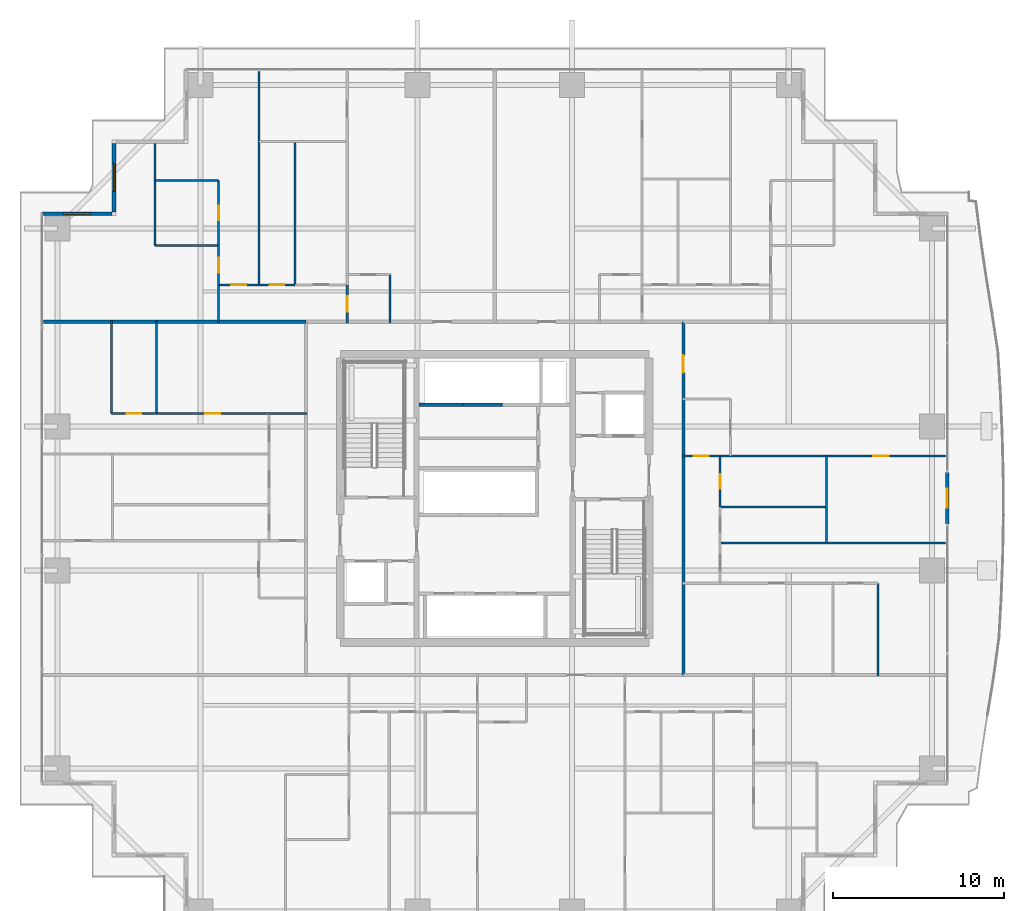
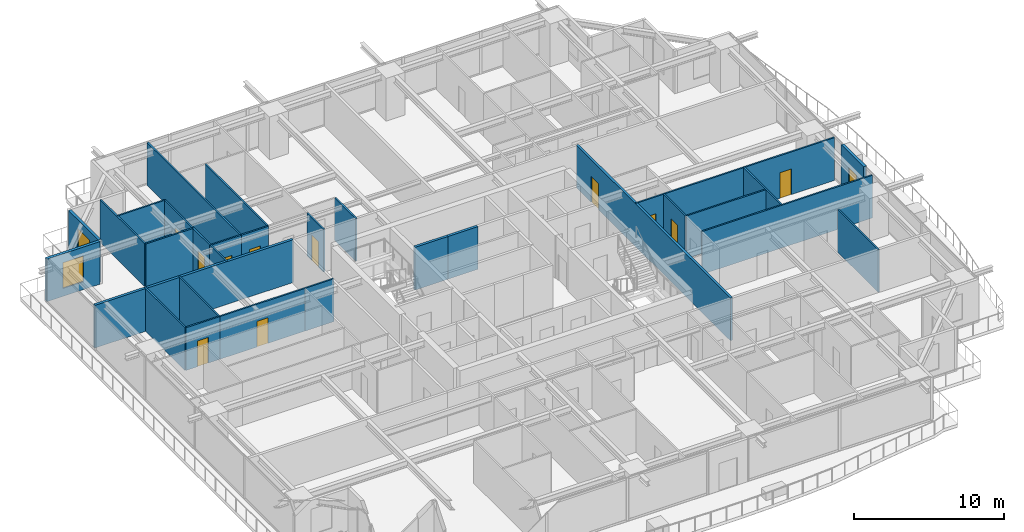
# One storey, part 30 of 39: 32 walls, 12 doors, 2 windows, 14 openings.
"""IFC4 building model written with IfcOpenShell, lengths in metres."""

from ifc_helpers import new_model, si_unit, direction, frame, frame_2d, origin, place, context, subcontext, project, spatial, rectangle, extrude, source, transform, mapped, material, layer, layer_set, type_object, element, fill, save


model = new_model("IFC4")

# Units and contexts
model_context = context("Model", 3, precision=1e-05, world=origin(), true_north=direction((0.0, 1.0)))
body_context = subcontext(model_context, "Body", "Model", "MODEL_VIEW")
ifc_project = project(units=[si_unit("LENGTHUNIT", "METRE"), si_unit("AREAUNIT", "SQUARE_METRE"), si_unit("VOLUMEUNIT", "CUBIC_METRE"), si_unit("PLANEANGLEUNIT", "RADIAN"), si_unit("MASSUNIT", "GRAM", prefix="KILO")], contexts=[model_context])

# Site, building, storey
site_placement = place(None, origin())
site = spatial("IfcSite", under=ifc_project, at=site_placement, CompositionType="ELEMENT")
building_placement = place(site_placement, origin())
building = spatial("IfcBuilding", under=site, at=building_placement, Name="Serunith Strait Residences", CompositionType="ELEMENT")
storey_placement = place(building_placement, frame((0.0, 0.0, 94.199951171875)))
storey = spatial("IfcBuildingStorey", under=building, at=storey_placement, Name="L23", CompositionType="ELEMENT", Elevation=94.199951171875)

# Wall, opening, door
ifc_material_1 = material(Name="Pale-Champagne Aluminium Insulated Panel", Category="aluminium")
ifc_layer_1 = layer(ifc_material_1, 0.219970703125, Name="Pale-Champagne Aluminium Insulated Panel")
ifc_layer_set_1 = layer_set([ifc_layer_1], Name="Pale-Champagne Aluminium Insulated Panel")
wall_type_1 = type_object("IfcWallType", Name="EW-ALUM-220", PredefinedType="ELEMENTEDWALL", material=ifc_layer_set_1)
wall_1_placement = place(storey_placement, frame((58.800048828125, 23.699951171875, 0.0), z_axis=(0.0, 0.0, 1.0), x_axis=(0.0, 1.0, 0.0)))
wall_1 = element("IfcWall", 1, at=wall_1_placement, inside=storey, type_object=wall_type_1, Name="L23 E Facade Pier Wall", PredefinedType="ELEMENTEDWALL", context=body_context, shape_type="SweptSolid", body=[
    extrude(rectangle(XDim=3.0, YDim=0.219970703125, at=frame_2d((1.5, 0.0))), origin(), (0.0, 0.0, 1.0), 3.47509765625),
])
opening_1_placement = place(wall_1_placement, frame((0.949951171875, 0.0, 0.0)))
opening_1 = element("IfcOpeningElement", 2, at=opening_1_placement, cuts=wall_1, Name="Opening ED-03", PredefinedType="OPENING", context=body_context, shape_type="SweptSolid", body=[
    extrude(rectangle(XDim=1.10009765625, YDim=2.199951171875, at=frame_2d((0.550048828125, 1.10009765625))), frame((0.0, 0.1201171875, 0.0), z_axis=(0.0, -1.0, 0.0), x_axis=(1.0, 0.0, 0.0)), (0.0, 0.0, 1.0), 0.239990234375),
])
ifc_material_2 = material(Name="Thermally-Broken Aluminium Glazed Balcony Door", Category="aluminium")
door_type_1 = type_object("IfcDoorType", Name="ED-BALC-1100", OperationType="NOTDEFINED", PredefinedType="DOOR", material=ifc_material_2)
shared_shape_1 = source(origin(), body_context, "Body", "SweptSolid", [
    extrude(rectangle(XDim=1.10009765625, YDim=2.199951171875, at=frame_2d((0.550048828125, 1.10009765625))), frame((0.0, 0.02490234375, 0.0), z_axis=(0.0, -1.0, 0.0), x_axis=(1.0, 0.0, 0.0)), (0.0, 0.0, 1.0), 0.050048828125),
])
door_1_placement = place(opening_1_placement, origin())
door_1 = element("IfcDoor", 3, at=door_1_placement, inside=storey, type_object=door_type_1, Name="L23 E Vertical-Forest Balcony Door", OperationType="SINGLE_SWING_RIGHT", OverallHeight=2.199951171875, OverallWidth=1.10009765625, PredefinedType="DOOR", context=body_context, shape_type="MappedRepresentation", body=[
    mapped(shared_shape_1, transform((0.0, 0.0, 0.0), scale=1.0)),
])
fill(opening_1, door_1)

# Wall, opening, window
wall_2_placement = place(storey_placement, frame((10.199951171875, 45.889892578125, 0.0), z_axis=(0.0, 0.0, 1.0), x_axis=(0.0, -1.0, 0.0)))
wall_2 = element("IfcWall", 4, at=wall_2_placement, inside=storey, type_object=wall_type_1, Name="L23 Girih Serrated Corner Wall 14", PredefinedType="ELEMENTEDWALL", context=body_context, shape_type="SweptSolid", body=[
    extrude(rectangle(XDim=3.97998046875, YDim=0.219970703125, at=frame_2d((1.989990234375, 0.0))), origin(), (0.0, 0.0, 1.0), 3.47509765625),
])
opening_2_placement = place(wall_2_placement, frame((1.18994140625, 0.0, 0.64990234375)))
opening_2 = element("IfcOpeningElement", 5, at=opening_2_placement, cuts=wall_2, Name="Opening W-02", PredefinedType="OPENING", context=body_context, shape_type="SweptSolid", body=[
    extrude(rectangle(XDim=1.60009765625, YDim=2.10009765625, at=frame_2d((0.800048828125, 1.050048828125))), frame((0.0, 0.1201171875, 0.0), z_axis=(0.0, -1.0, 0.0), x_axis=(1.0, 0.0, 0.0)), (0.0, 0.0, 1.0), 0.239990234375),
])
ifc_material_3 = material(Name="Ceramic-Fritted Operable Aluminium Window Glass", Category="aluminium")
window_type = type_object("IfcWindowType", Name="WIN-C2", PartitioningType="DOUBLE_PANEL_VERTICAL", PredefinedType="WINDOW", material=ifc_material_3)
shared_shape_2 = source(origin(), body_context, "Body", "SweptSolid", [
    extrude(rectangle(XDim=1.60009765625, YDim=2.10009765625, at=frame_2d((0.800048828125, 1.050048828125))), frame((0.0, 0.030029296875, 0.0), z_axis=(0.0, -1.0, 0.0), x_axis=(1.0, 0.0, 0.0)), (0.0, 0.0, 1.0), 0.06005859375),
])
window_1_placement = place(opening_2_placement, origin())
window_1 = element("IfcWindow", 6, at=window_1_placement, inside=storey, type_object=window_type, Name="L23 Corner Operable Fritted Window 14", OverallHeight=2.10009765625, OverallWidth=1.60009765625, PartitioningType="SINGLE_PANEL", PredefinedType="WINDOW", context=body_context, shape_type="MappedRepresentation", body=[
    mapped(shared_shape_2, transform((0.0, 0.0, 0.0), scale=1.0)),
])
fill(opening_2, window_1)

wall_3_placement = place(storey_placement, frame((10.090087890625, 41.800048828125, 0.0), z_axis=(0.0, 0.0, 1.0), x_axis=(-1.0, 0.0, 0.0)))
wall_3 = element("IfcWall", 7, at=wall_3_placement, inside=storey, type_object=wall_type_1, Name="L23 Girih Serrated Corner Wall 15", PredefinedType="ELEMENTEDWALL", context=body_context, shape_type="SweptSolid", body=[
    extrude(rectangle(XDim=4.090087890625, YDim=0.219970703125, at=frame_2d((2.044921875, 0.0))), origin(), (0.0, 0.0, 1.0), 3.47509765625),
])
opening_3_placement = place(wall_3_placement, frame((1.2451171875, 0.0, 0.64990234375)))
opening_3 = element("IfcOpeningElement", 8, at=opening_3_placement, cuts=wall_3, Name="Opening W-02", PredefinedType="OPENING", context=body_context, shape_type="SweptSolid", body=[
    extrude(rectangle(XDim=1.60009765625, YDim=2.10009765625, at=frame_2d((0.800048828125, 1.050048828125))), frame((0.0, 0.1201171875, 0.0), z_axis=(0.0, -1.0, 0.0), x_axis=(1.0, 0.0, 0.0)), (0.0, 0.0, 1.0), 0.239990234375),
])
window_2_placement = place(opening_3_placement, origin())
window_2 = element("IfcWindow", 9, at=window_2_placement, inside=storey, type_object=window_type, Name="L23 Corner Operable Fritted Window 15", OverallHeight=2.10009765625, OverallWidth=1.60009765625, PartitioningType="SINGLE_PANEL", PredefinedType="WINDOW", context=body_context, shape_type="MappedRepresentation", body=[
    mapped(shared_shape_2, transform((0.0, 0.0, 0.0), scale=1.0)),
])
fill(opening_3, window_2)

# Wall, opening, door
ifc_material_4 = material(Name="Fire-rated acoustic gypsum partition")
ifc_layer_2 = layer(ifc_material_4, 0.179931640625, Name="Fire-rated acoustic gypsum partition")
ifc_layer_set_2 = layer_set([ifc_layer_2], Name="Fire-rated acoustic gypsum partition")
wall_type_2 = type_object("IfcWallType", Name="IW-CORR-180", PredefinedType="PARTITIONING", material=ifc_layer_set_2)
wall_4_placement = place(storey_placement, frame((43.39990234375, 14.89990234375, 0.0), z_axis=(0.0, 0.0, 1.0), x_axis=(0.0, 1.0, 0.0)))
wall_4 = element("IfcWall", 10, at=wall_4_placement, inside=storey, type_object=wall_type_2, Name="L23 Partition Wall 025", PredefinedType="PARTITIONING", context=body_context, shape_type="SweptSolid", body=[
    extrude(rectangle(XDim=20.60009765625, YDim=0.179931640625, at=frame_2d((10.300048828125, 0.0))), origin(), (0.0, 0.0, 1.0), 3.489990234375),
])
opening_4_placement = place(wall_4_placement, frame((17.639892578125, 0.0, 0.0)))
opening_4 = element("IfcOpeningElement", 11, at=opening_4_placement, cuts=wall_4, Name="Opening D-APT1000", PredefinedType="OPENING", context=body_context, shape_type="SweptSolid", body=[
    extrude(rectangle(XDim=1.0, YDim=2.14990234375, at=frame_2d((0.5, 1.074951171875))), frame((0.0, 0.10009765625, 0.0), z_axis=(0.0, -1.0, 0.0), x_axis=(1.0, 0.0, 0.0)), (0.0, 0.0, 1.0), 0.199951171875),
])
ifc_material_5 = material(Name="Solid timber engineered fire door", Category="wood")
door_type_2 = type_object("IfcDoorType", Name="ID-APT-1000", OperationType="NOTDEFINED", PredefinedType="DOOR", material=ifc_material_5)
shared_shape_3 = source(origin(), body_context, "Body", "SweptSolid", [
    extrude(rectangle(XDim=1.0, YDim=2.14990234375, at=frame_2d((0.5, 1.074951171875))), frame((0.0, 0.02490234375, 0.0), z_axis=(0.0, -1.0, 0.0), x_axis=(1.0, 0.0, 0.0)), (0.0, 0.0, 1.0), 0.050048828125),
])
door_2_placement = place(opening_4_placement, origin())
door_2 = element("IfcDoor", 12, at=door_2_placement, inside=storey, type_object=door_type_2, Name="L23 Unit 05 Entrance Door", OperationType="SINGLE_SWING_RIGHT", OverallHeight=2.14990234375, OverallWidth=1.0, PredefinedType="DOOR", context=body_context, shape_type="MappedRepresentation", body=[
    mapped(shared_shape_3, transform((0.0, 0.0, 0.0), scale=1.0)),
])
fill(opening_4, door_2)

# Wall
ifc_material_6 = material(Name="Lightweight steel-stud gypsum partition", Category="steel")
ifc_layer_3 = layer(ifc_material_6, 0.1201171875, Name="Lightweight steel-stud gypsum partition")
ifc_layer_set_3 = layer_set([ifc_layer_3], Name="Lightweight steel-stud gypsum partition")
wall_type_3 = type_object("IfcWallType", Name="IW-PART-120", PredefinedType="PARTITIONING", material=ifc_layer_set_3)
wall_5_placement = place(storey_placement, frame((26.300048828125, 38.25, 0.0), z_axis=(0.0, 0.0, 1.0), x_axis=(0.0, -1.0, 0.0)))
element("IfcWall", 13, at=wall_5_placement, inside=storey, type_object=wall_type_3, Name="L23 Partition Wall 059", PredefinedType="PARTITIONING", context=body_context, shape_type="SweptSolid", body=[
    extrude(rectangle(XDim=2.81005859375, YDim=0.1201171875, at=frame_2d((1.405029296875, 0.0))), origin(), (0.0, 0.0, 1.0), 3.489990234375),
])

# Wall, opening, door
wall_6_placement = place(storey_placement, frame((23.800048828125, 37.64990234375, 0.0), z_axis=(0.0, 0.0, 1.0), x_axis=(0.0, -1.0, 0.0)))
wall_6 = element("IfcWall", 14, at=wall_6_placement, inside=storey, type_object=wall_type_3, Name="L23 Partition Wall 060", PredefinedType="PARTITIONING", context=body_context, shape_type="SweptSolid", body=[
    extrude(rectangle(XDim=2.2099609375, YDim=0.1201171875, at=frame_2d((1.10498046875, 0.0))), origin(), (0.0, 0.0, 1.0), 3.489990234375),
])
opening_5_placement = place(wall_6_placement, frame((0.655029296875, 0.0, 0.0)))
opening_5 = element("IfcOpeningElement", 15, at=opening_5_placement, cuts=wall_6, Name="Opening D-RM900", PredefinedType="OPENING", context=body_context, shape_type="SweptSolid", body=[
    extrude(rectangle(XDim=0.89990234375, YDim=2.10009765625, at=frame_2d((0.449951171875, 1.050048828125))), frame((0.0, 0.070068359375, 0.0), z_axis=(0.0, -1.0, 0.0), x_axis=(1.0, 0.0, 0.0)), (0.0, 0.0, 1.0), 0.14013671875),
])
ifc_material_7 = material(Name="Engineered timber flush bedroom door", Category="wood")
door_type_3 = type_object("IfcDoorType", Name="ID-ROOM-900", OperationType="NOTDEFINED", PredefinedType="DOOR", material=ifc_material_7)
shared_shape_4 = source(origin(), body_context, "Body", "SweptSolid", [
    extrude(rectangle(XDim=0.89990234375, YDim=2.10009765625, at=frame_2d((0.449951171875, 1.050048828125))), frame((0.0, 0.02490234375, 0.0), z_axis=(0.0, -1.0, 0.0), x_axis=(1.0, 0.0, 0.0)), (0.0, 0.0, 1.0), 0.050048828125),
])
door_3_placement = place(opening_5_placement, origin())
door_3 = element("IfcDoor", 16, at=door_3_placement, inside=storey, type_object=door_type_3, Name="L23 Hall W 2302 Door", OperationType="SINGLE_SWING_LEFT", OverallHeight=2.10009765625, OverallWidth=0.89990234375, PredefinedType="DOOR", context=body_context, shape_type="MappedRepresentation", body=[
    mapped(shared_shape_4, transform((0.0, 0.0, 0.0), scale=1.0)),
])
fill(opening_5, door_3)

# Walls
wall_7_placement = place(storey_placement, frame((18.64990234375, 50.10498046875, 0.0), z_axis=(0.0, 0.0, 1.0), x_axis=(0.0, -1.0, 0.0)))
element("IfcWall", 17, at=wall_7_placement, inside=storey, type_object=wall_type_3, Name="L23 Partition Wall 064", PredefinedType="PARTITIONING", context=body_context, shape_type="SweptSolid", body=[
    extrude(rectangle(XDim=12.455078125, YDim=0.1201171875, at=frame_2d((6.2275390625, 0.0))), origin(), (0.0, 0.0, 1.0), 3.489990234375),
])
wall_8_placement = place(storey_placement, frame((20.75, 46.0048828125, 0.0), z_axis=(0.0, 0.0, 1.0), x_axis=(0.0, -1.0, 0.0)))
element("IfcWall", 18, at=wall_8_placement, inside=storey, type_object=wall_type_3, Name="L23 Partition Wall 065", PredefinedType="PARTITIONING", context=body_context, shape_type="SweptSolid", body=[
    extrude(rectangle(XDim=8.35498046875, YDim=0.1201171875, at=frame_2d((4.177490234375, 0.0))), origin(), (0.0, 0.0, 1.0), 3.489990234375),
])

# Wall, opening, door
wall_9_placement = place(storey_placement, frame((18.64990234375, 37.64990234375, 0.0), z_axis=(0.0, 0.0, 1.0), x_axis=(1.0, 0.0, 0.0)))
wall_9 = element("IfcWall", 19, at=wall_9_placement, inside=storey, type_object=wall_type_3, Name="L23 Partition Wall 066", PredefinedType="PARTITIONING", context=body_context, shape_type="SweptSolid", body=[
    extrude(rectangle(XDim=2.10009765625, YDim=0.1201171875, at=frame_2d((1.050048828125, 0.0))), origin(), (0.0, 0.0, 1.0), 3.489990234375),
])
opening_6_placement = place(wall_9_placement, frame((0.625, 0.0, 0.0)))
opening_6 = element("IfcOpeningElement", 20, at=opening_6_placement, cuts=wall_9, Name="Opening D-BTH850", PredefinedType="OPENING", context=body_context, shape_type="SweptSolid", body=[
    extrude(rectangle(XDim=0.85009765625, YDim=2.10009765625, at=frame_2d((0.425048828125, 1.050048828125))), frame((0.0, 0.070068359375, 0.0), z_axis=(0.0, -1.0, 0.0), x_axis=(1.0, 0.0, 0.0)), (0.0, 0.0, 1.0), 0.14013671875),
])
ifc_material_8 = material(Name="Moisture-resistant timber bathroom door", Category="wood")
door_type_4 = type_object("IfcDoorType", Name="ID-BATH-850", OperationType="NOTDEFINED", PredefinedType="DOOR", material=ifc_material_8)
shared_shape_5 = source(origin(), body_context, "Body", "SweptSolid", [
    extrude(rectangle(XDim=0.85009765625, YDim=2.10009765625, at=frame_2d((0.425048828125, 1.050048828125))), frame((0.0, 0.02490234375, 0.0), z_axis=(0.0, -1.0, 0.0), x_axis=(1.0, 0.0, 0.0)), (0.0, 0.0, 1.0), 0.050048828125),
])
door_4_placement = place(opening_6_placement, origin())
door_4 = element("IfcDoor", 21, at=door_4_placement, inside=storey, type_object=door_type_4, Name="L23 Bathroom 2302 Door", OperationType="SINGLE_SWING_LEFT", OverallHeight=2.10009765625, OverallWidth=0.85009765625, PredefinedType="DOOR", context=body_context, shape_type="MappedRepresentation", body=[
    mapped(shared_shape_5, transform((0.0, 0.0, 0.0), scale=1.0)),
])
fill(opening_6, door_4)

wall_10_placement = place(storey_placement, frame((16.300048828125, 37.64990234375, 0.0), z_axis=(0.0, 0.0, 1.0), x_axis=(1.0, 0.0, 0.0)))
wall_10 = element("IfcWall", 22, at=wall_10_placement, inside=storey, type_object=wall_type_3, Name="L23 Partition Wall 068", PredefinedType="PARTITIONING", context=body_context, shape_type="SweptSolid", body=[
    extrude(rectangle(XDim=2.347900390625, YDim=0.1201171875, at=frame_2d((1.173828125, 0.0))), origin(), (0.0, 0.0, 1.0), 3.489990234375),
])
opening_7_placement = place(wall_10_placement, frame((0.72412109375, 0.0, 0.0)))
opening_7 = element("IfcOpeningElement", 23, at=opening_7_placement, cuts=wall_10, Name="Opening D-RM900", PredefinedType="OPENING", context=body_context, shape_type="SweptSolid", body=[
    extrude(rectangle(XDim=0.89990234375, YDim=2.10009765625, at=frame_2d((0.449951171875, 1.050048828125))), frame((0.0, 0.070068359375, 0.0), z_axis=(0.0, -1.0, 0.0), x_axis=(1.0, 0.0, 0.0)), (0.0, 0.0, 1.0), 0.14013671875),
])
door_5_placement = place(opening_7_placement, origin())
door_5 = element("IfcDoor", 24, at=door_5_placement, inside=storey, type_object=door_type_3, Name="L23 Master Bedroom W 2302 Door", OperationType="SINGLE_SWING_LEFT", OverallHeight=2.10009765625, OverallWidth=0.89990234375, PredefinedType="DOOR", context=body_context, shape_type="MappedRepresentation", body=[
    mapped(shared_shape_4, transform((0.0, 0.0, 0.0), scale=1.0)),
])
fill(opening_7, door_5)

# Walls
wall_11_placement = place(storey_placement, frame((12.60009765625, 43.72802734375, 0.0), z_axis=(0.0, 0.0, 1.0), x_axis=(1.0, 0.0, 0.0)))
element("IfcWall", 25, at=wall_11_placement, inside=storey, type_object=wall_type_3, Name="L23 Partition Wall 069", PredefinedType="PARTITIONING", context=body_context, shape_type="SweptSolid", body=[
    extrude(rectangle(XDim=3.699951171875, YDim=0.1201171875, at=frame_2d((1.85009765625, 0.0))), origin(), (0.0, 0.0, 1.0), 3.489990234375),
])
wall_12_placement = place(storey_placement, frame((12.60009765625, 45.905029296875, 0.0), z_axis=(0.0, 0.0, 1.0), x_axis=(0.0, -1.0, 0.0)))
element("IfcWall", 26, at=wall_12_placement, inside=storey, type_object=wall_type_3, Name="L23 Partition Wall 070", PredefinedType="PARTITIONING", context=body_context, shape_type="SweptSolid", body=[
    extrude(rectangle(XDim=5.9609375, YDim=0.1201171875, at=frame_2d((2.98046875, 0.0))), origin(), (0.0, 0.0, 1.0), 3.489990234375),
])
wall_13_placement = place(storey_placement, frame((12.60009765625, 39.944091796875, 0.0), z_axis=(0.0, 0.0, 1.0), x_axis=(1.0, 0.0, 0.0)))
element("IfcWall", 27, at=wall_13_placement, inside=storey, type_object=wall_type_3, Name="L23 Partition Wall 071", PredefinedType="PARTITIONING", context=body_context, shape_type="SweptSolid", body=[
    extrude(rectangle(XDim=3.699951171875, YDim=0.1201171875, at=frame_2d((1.85009765625, 0.0))), origin(), (0.0, 0.0, 1.0), 3.489990234375),
])

# Wall, opening, door
wall_14_placement = place(storey_placement, frame((16.300048828125, 43.72802734375, 0.0), z_axis=(0.0, 0.0, 1.0), x_axis=(0.0, -1.0, 0.0)))
wall_14 = element("IfcWall", 28, at=wall_14_placement, inside=storey, type_object=wall_type_3, Name="L23 Partition Wall 072", PredefinedType="PARTITIONING", context=body_context, shape_type="SweptSolid", body=[
    extrude(rectangle(XDim=3.783935546875, YDim=0.1201171875, at=frame_2d((1.89208984375, 0.0))), origin(), (0.0, 0.0, 1.0), 3.489990234375),
])
opening_8_placement = place(wall_14_placement, frame((1.467041015625, 0.0, 0.0)))
opening_8 = element("IfcOpeningElement", 29, at=opening_8_placement, cuts=wall_14, Name="Opening D-BTH850", PredefinedType="OPENING", context=body_context, shape_type="SweptSolid", body=[
    extrude(rectangle(XDim=0.85009765625, YDim=2.10009765625, at=frame_2d((0.425048828125, 1.050048828125))), frame((0.0, 0.070068359375, 0.0), z_axis=(0.0, -1.0, 0.0), x_axis=(1.0, 0.0, 0.0)), (0.0, 0.0, 1.0), 0.14013671875),
])
door_6_placement = place(opening_8_placement, origin())
door_6 = element("IfcDoor", 30, at=door_6_placement, inside=storey, type_object=door_type_4, Name="L23 En-suite Bathroom W 2302 Door", OperationType="SINGLE_SWING_RIGHT", OverallHeight=2.10009765625, OverallWidth=0.85009765625, PredefinedType="DOOR", context=body_context, shape_type="MappedRepresentation", body=[
    mapped(shared_shape_5, transform((0.0, 0.0, 0.0), scale=1.0)),
])
fill(opening_8, door_6)

wall_15_placement = place(storey_placement, frame((16.300048828125, 39.94189453125, 0.0), z_axis=(0.0, 0.0, 1.0), x_axis=(0.0, -1.0, 0.0)))
wall_15 = element("IfcWall", 31, at=wall_15_placement, inside=storey, type_object=wall_type_3, Name="L23 Partition Wall 073", PredefinedType="PARTITIONING", context=body_context, shape_type="SweptSolid", body=[
    extrude(rectangle(XDim=2.2919921875, YDim=0.1201171875, at=frame_2d((1.14599609375, 0.0))), origin(), (0.0, 0.0, 1.0), 3.489990234375),
])
opening_9_placement = place(wall_15_placement, frame((0.720947265625, 0.0, 0.0)))
opening_9 = element("IfcOpeningElement", 32, at=opening_9_placement, cuts=wall_15, Name="Opening D-RM850", PredefinedType="OPENING", context=body_context, shape_type="SweptSolid", body=[
    extrude(rectangle(XDim=0.85009765625, YDim=2.10009765625, at=frame_2d((0.425048828125, 1.050048828125))), frame((0.0, 0.070068359375, 0.0), z_axis=(0.0, -1.0, 0.0), x_axis=(1.0, 0.0, 0.0)), (0.0, 0.0, 1.0), 0.14013671875),
])
ifc_material_9 = material(Name="Engineered timber flush study and kitchen door", Category="wood")
door_type_5 = type_object("IfcDoorType", Name="ID-ROOM-850", OperationType="NOTDEFINED", PredefinedType="DOOR", material=ifc_material_9)
door_7_placement = place(opening_9_placement, origin())
door_7 = element("IfcDoor", 33, at=door_7_placement, inside=storey, type_object=door_type_5, Name="L23 Wardrobe W 2302 Door", OperationType="SINGLE_SWING_LEFT", OverallHeight=2.10009765625, OverallWidth=0.85009765625, PredefinedType="DOOR", context=body_context, shape_type="MappedRepresentation", body=[
    mapped(shared_shape_5, transform((0.0, 0.0, 0.0), scale=1.0)),
])
fill(opening_9, door_7)

# Walls
wall_16_placement = place(storey_placement, frame((16.300048828125, 37.64794921875, 0.0), z_axis=(0.0, 0.0, 1.0), x_axis=(0.0, -1.0, 0.0)))
element("IfcWall", 34, at=wall_16_placement, inside=storey, type_object=wall_type_3, Name="L23 Partition Wall 074", PredefinedType="PARTITIONING", context=body_context, shape_type="SweptSolid", body=[
    extrude(rectangle(XDim=2.2080078125, YDim=0.1201171875, at=frame_2d((1.10400390625, 0.0))), origin(), (0.0, 0.0, 1.0), 3.489990234375),
])
for number, where, z_axis, x_axis, name in (
    (35, (10.050048828125, 30.14990234375, 0.0), (0.0, 0.0, 1.0), (0.0, 1.0, 0.0), "L23 Partition Wall 103"),
    (36, (12.6669921875, 30.14990234375, 0.0), (0.0, 0.0, 1.0), (0.0, 1.0, 0.0), "L23 Partition Wall 104"),
):
    element("IfcWall", number, at=place(storey_placement, frame(where, z_axis=z_axis, x_axis=x_axis)), inside=storey, type_object=wall_type_3, Name=name, PredefinedType="PARTITIONING", context=body_context, shape_type="SweptSolid", body=[
        extrude(rectangle(XDim=5.41015625, YDim=0.1201171875, at=frame_2d((2.705078125, 0.0))), origin(), (0.0, 0.0, 1.0), 3.489990234375),
    ])

# Wall, opening, door
wall_17_placement = place(storey_placement, frame((10.050048828125, 30.14990234375, 0.0), z_axis=(0.0, 0.0, 1.0), x_axis=(1.0, 0.0, 0.0)))
wall_17 = element("IfcWall", 37, at=wall_17_placement, inside=storey, type_object=wall_type_3, Name="L23 Partition Wall 105", PredefinedType="PARTITIONING", context=body_context, shape_type="SweptSolid", body=[
    extrude(rectangle(XDim=2.616943359375, YDim=0.1201171875, at=frame_2d((1.30859375, 0.0))), origin(), (0.0, 0.0, 1.0), 3.489990234375),
])
opening_10_placement = place(wall_17_placement, frame((0.883056640625, 0.0, 0.0)))
opening_10 = element("IfcOpeningElement", 38, at=opening_10_placement, cuts=wall_17, Name="Opening D-BTH850", PredefinedType="OPENING", context=body_context, shape_type="SweptSolid", body=[
    extrude(rectangle(XDim=0.85009765625, YDim=2.10009765625, at=frame_2d((0.425048828125, 1.050048828125))), frame((0.0, 0.070068359375, 0.0), z_axis=(0.0, -1.0, 0.0), x_axis=(1.0, 0.0, 0.0)), (0.0, 0.0, 1.0), 0.14013671875),
])
door_8_placement = place(opening_10_placement, origin())
door_8 = element("IfcDoor", 39, at=door_8_placement, inside=storey, type_object=door_type_4, Name="L23 En-suite Bathroom E 2304 Door", OperationType="SINGLE_SWING_RIGHT", OverallHeight=2.10009765625, OverallWidth=0.85009765625, PredefinedType="DOOR", context=body_context, shape_type="MappedRepresentation", body=[
    mapped(shared_shape_5, transform((0.0, 0.0, 0.0), scale=1.0)),
])
fill(opening_10, door_8)

wall_18_placement = place(storey_placement, frame((12.6689453125, 30.14990234375, 0.0), z_axis=(0.0, 0.0, 1.0), x_axis=(1.0, 0.0, 0.0)))
wall_18 = element("IfcWall", 40, at=wall_18_placement, inside=storey, type_object=wall_type_3, Name="L23 Partition Wall 106", PredefinedType="PARTITIONING", context=body_context, shape_type="SweptSolid", body=[
    extrude(rectangle(XDim=6.5810546875, YDim=0.1201171875, at=frame_2d((3.29052734375, 0.0))), origin(), (0.0, 0.0, 1.0), 3.489990234375),
])
opening_11_placement = place(wall_18_placement, frame((2.864990234375, 0.0, 0.0)))
opening_11 = element("IfcOpeningElement", 41, at=opening_11_placement, cuts=wall_18, Name="Opening D-RM850", PredefinedType="OPENING", context=body_context, shape_type="SweptSolid", body=[
    extrude(rectangle(XDim=0.85009765625, YDim=2.10009765625, at=frame_2d((0.425048828125, 1.050048828125))), frame((0.0, 0.070068359375, 0.0), z_axis=(0.0, -1.0, 0.0), x_axis=(1.0, 0.0, 0.0)), (0.0, 0.0, 1.0), 0.14013671875),
])
door_9_placement = place(opening_11_placement, origin())
door_9 = element("IfcDoor", 42, at=door_9_placement, inside=storey, type_object=door_type_5, Name="L23 Wardrobe E 2304 Door", OperationType="SINGLE_SWING_LEFT", OverallHeight=2.10009765625, OverallWidth=0.85009765625, PredefinedType="DOOR", context=body_context, shape_type="MappedRepresentation", body=[
    mapped(shared_shape_5, transform((0.0, 0.0, 0.0), scale=1.0)),
])
fill(opening_11, door_9)

# Wall
wall_19_placement = place(storey_placement, frame((19.251953125, 30.14990234375, 0.0), z_axis=(0.0, 0.0, 1.0), x_axis=(1.0, 0.0, 0.0)))
element("IfcWall", 43, at=wall_19_placement, inside=storey, type_object=wall_type_3, Name="L23 Partition Wall 107", PredefinedType="PARTITIONING", context=body_context, shape_type="SweptSolid", body=[
    extrude(rectangle(XDim=2.2080078125, YDim=0.1201171875, at=frame_2d((1.10400390625, 0.0))), origin(), (0.0, 0.0, 1.0), 3.489990234375),
])

# Wall, opening, door
wall_20_placement = place(storey_placement, frame((45.550048828125, 27.669921875, 0.0), z_axis=(0.0, 0.0, 1.0), x_axis=(-1.0, 0.0, 0.0)))
wall_20 = element("IfcWall", 44, at=wall_20_placement, inside=storey, type_object=wall_type_3, Name="L23 Partition Wall 110", PredefinedType="PARTITIONING", context=body_context, shape_type="SweptSolid", body=[
    extrude(rectangle(XDim=2.2099609375, YDim=0.1201171875, at=frame_2d((1.10498046875, 0.0))), origin(), (0.0, 0.0, 1.0), 3.489990234375),
])
opening_12_placement = place(wall_20_placement, frame((0.655029296875, 0.0, 0.0)))
opening_12 = element("IfcOpeningElement", 45, at=opening_12_placement, cuts=wall_20, Name="Opening D-RM900", PredefinedType="OPENING", context=body_context, shape_type="SweptSolid", body=[
    extrude(rectangle(XDim=0.89990234375, YDim=2.10009765625, at=frame_2d((0.449951171875, 1.050048828125))), frame((0.0, 0.070068359375, 0.0), z_axis=(0.0, -1.0, 0.0), x_axis=(1.0, 0.0, 0.0)), (0.0, 0.0, 1.0), 0.14013671875),
])
door_10_placement = place(opening_12_placement, origin())
door_10 = element("IfcDoor", 46, at=door_10_placement, inside=storey, type_object=door_type_3, Name="L23 Hall W 2305 Door", OperationType="SINGLE_SWING_LEFT", OverallHeight=2.10009765625, OverallWidth=0.89990234375, PredefinedType="DOOR", context=body_context, shape_type="MappedRepresentation", body=[
    mapped(shared_shape_4, transform((0.0, 0.0, 0.0), scale=1.0)),
])
fill(opening_12, door_10)

wall_21_placement = place(storey_placement, frame((58.705078125, 27.669921875, 0.0), z_axis=(0.0, 0.0, 1.0), x_axis=(-1.0, 0.0, 0.0)))
wall_21 = element("IfcWall", 47, at=wall_21_placement, inside=storey, type_object=wall_type_3, Name="L23 Partition Wall 111", PredefinedType="PARTITIONING", context=body_context, shape_type="SweptSolid", body=[
    extrude(rectangle(XDim=6.964111328125, YDim=0.1201171875, at=frame_2d((3.48193359375, 0.0))), origin(), (0.0, 0.0, 1.0), 3.489990234375),
])
opening_13_placement = place(wall_21_placement, frame((3.3349609375, 0.0, 0.0)))
opening_13 = element("IfcOpeningElement", 48, at=opening_13_placement, cuts=wall_21, Name="Opening D-RM900", PredefinedType="OPENING", context=body_context, shape_type="SweptSolid", body=[
    extrude(rectangle(XDim=0.89990234375, YDim=2.10009765625, at=frame_2d((0.449951171875, 1.050048828125))), frame((0.0, 0.070068359375, 0.0), z_axis=(0.0, -1.0, 0.0), x_axis=(1.0, 0.0, 0.0)), (0.0, 0.0, 1.0), 0.14013671875),
])
door_11_placement = place(opening_13_placement, origin())
door_11 = element("IfcDoor", 49, at=door_11_placement, inside=storey, type_object=door_type_3, Name="L23 Formal Dining Room 1 2305 Door", OperationType="SINGLE_SWING_RIGHT", OverallHeight=2.10009765625, OverallWidth=0.89990234375, PredefinedType="DOOR", context=body_context, shape_type="MappedRepresentation", body=[
    mapped(shared_shape_4, transform((0.0, 0.0, 0.0), scale=1.0)),
])
fill(opening_13, door_11)

# Walls
wall_22_placement = place(storey_placement, frame((51.739013671875, 27.669921875, 0.0), z_axis=(0.0, 0.0, 1.0), x_axis=(-1.0, 0.0, 0.0)))
element("IfcWall", 50, at=wall_22_placement, inside=storey, type_object=wall_type_3, Name="L23 Partition Wall 112", PredefinedType="PARTITIONING", context=body_context, shape_type="SweptSolid", body=[
    extrude(rectangle(XDim=6.18701171875, YDim=0.1201171875, at=frame_2d((3.093505859375, 0.0))), origin(), (0.0, 0.0, 1.0), 3.489990234375),
])
wall_23_placement = place(storey_placement, frame((51.740966796875, 22.60009765625, 0.0), z_axis=(0.0, 0.0, 1.0), x_axis=(0.0, 1.0, 0.0)))
element("IfcWall", 51, at=wall_23_placement, inside=storey, type_object=wall_type_3, Name="L23 Partition Wall 113", PredefinedType="PARTITIONING", context=body_context, shape_type="SweptSolid", body=[
    extrude(rectangle(XDim=5.06982421875, YDim=0.1201171875, at=frame_2d((2.534912109375, 0.0))), origin(), (0.0, 0.0, 1.0), 3.489990234375),
])
wall_24_placement = place(storey_placement, frame((58.705078125, 22.60009765625, 0.0), z_axis=(0.0, 0.0, 1.0), x_axis=(-1.0, 0.0, 0.0)))
element("IfcWall", 52, at=wall_24_placement, inside=storey, type_object=wall_type_3, Name="L23 Partition Wall 114", PredefinedType="PARTITIONING", context=body_context, shape_type="SweptSolid", body=[
    extrude(rectangle(XDim=13.155029296875, YDim=0.1201171875, at=frame_2d((6.57763671875, 0.0))), origin(), (0.0, 0.0, 1.0), 3.489990234375),
])
wall_25_placement = place(storey_placement, frame((51.740966796875, 24.699951171875, 0.0), z_axis=(0.0, 0.0, 1.0), x_axis=(-1.0, 0.0, 0.0)))
element("IfcWall", 53, at=wall_25_placement, inside=storey, type_object=wall_type_3, Name="L23 Partition Wall 115", PredefinedType="PARTITIONING", context=body_context, shape_type="SweptSolid", body=[
    extrude(rectangle(XDim=6.19091796875, YDim=0.1201171875, at=frame_2d((3.095458984375, 0.0))), origin(), (0.0, 0.0, 1.0), 3.489990234375),
])

# Wall, opening, door
wall_26_placement = place(storey_placement, frame((45.550048828125, 24.701904296875, 0.0), z_axis=(0.0, 0.0, 1.0), x_axis=(0.0, 1.0, 0.0)))
wall_26 = element("IfcWall", 54, at=wall_26_placement, inside=storey, type_object=wall_type_3, Name="L23 Partition Wall 117", PredefinedType="PARTITIONING", context=body_context, shape_type="SweptSolid", body=[
    extrude(rectangle(XDim=2.968017578125, YDim=0.1201171875, at=frame_2d((1.48388671875, 0.0))), origin(), (0.0, 0.0, 1.0), 3.489990234375),
])
opening_14_placement = place(wall_26_placement, frame((1.05908203125, 0.0, 0.0)))
opening_14 = element("IfcOpeningElement", 55, at=opening_14_placement, cuts=wall_26, Name="Opening D-RM850", PredefinedType="OPENING", context=body_context, shape_type="SweptSolid", body=[
    extrude(rectangle(XDim=0.85009765625, YDim=2.10009765625, at=frame_2d((0.425048828125, 1.050048828125))), frame((0.0, 0.070068359375, 0.0), z_axis=(0.0, -1.0, 0.0), x_axis=(1.0, 0.0, 0.0)), (0.0, 0.0, 1.0), 0.14013671875),
])
door_12_placement = place(opening_14_placement, origin())
door_12 = element("IfcDoor", 56, at=door_12_placement, inside=storey, type_object=door_type_5, Name="L23 Formal Dining Room 2305 Door", OperationType="SINGLE_SWING_RIGHT", OverallHeight=2.10009765625, OverallWidth=0.85009765625, PredefinedType="DOOR", context=body_context, shape_type="MappedRepresentation", body=[
    mapped(shared_shape_5, transform((0.0, 0.0, 0.0), scale=1.0)),
])
fill(opening_14, door_12)

# Walls
wall_27_placement = place(storey_placement, frame((54.75, 14.840087890625, 0.0), z_axis=(0.0, 0.0, 1.0), x_axis=(0.0, 1.0, 0.0)))
element("IfcWall", 57, at=wall_27_placement, inside=storey, type_object=wall_type_3, Name="L23 Partition Wall 119", PredefinedType="PARTITIONING", context=body_context, shape_type="SweptSolid", body=[
    extrude(rectangle(XDim=5.409912109375, YDim=0.1201171875, at=frame_2d((2.705078125, 0.0))), origin(), (0.0, 0.0, 1.0), 3.489990234375),
])
ifc_material_10 = material(Name="Twin-stud acoustic gypsum board partition")
ifc_layer_4 = layer(ifc_material_10, 0.199951171875, Name="Twin-stud acoustic gypsum board partition")
ifc_layer_set_4 = layer_set([ifc_layer_4], Name="Twin-stud acoustic gypsum board partition")
wall_type_4 = type_object("IfcWallType", Name="IW-PARTY-200", PredefinedType="PARTITIONING", material=ifc_layer_set_4)
wall_28_placement = place(storey_placement, frame((6.08203125, 35.5, 0.0), z_axis=(0.0, 0.0, 1.0), x_axis=(1.0, 0.0, 0.0)))
element("IfcWall", 58, at=wall_28_placement, inside=storey, type_object=wall_type_4, Name="L23 Partition Wall 020", PredefinedType="PARTITIONING", context=body_context, shape_type="SweptSolid", body=[
    extrude(rectangle(XDim=15.31787109375, YDim=0.199951171875, at=frame_2d((7.658935546875, 0.0))), origin(), (0.0, 0.0, 1.0), 3.489990234375),
])
ifc_material_11 = material(Name="Autoclaved aerated concrete blockwork", Category="masonry")
ifc_layer_5 = layer(ifc_material_11, 0.199951171875, Name="Autoclaved aerated concrete blockwork")
ifc_layer_set_5 = layer_set([ifc_layer_5], Name="Autoclaved aerated concrete blockwork")
wall_type_5 = type_object("IfcWallType", Name="IW-SHAFT-200", PredefinedType="STANDARD", material=ifc_layer_set_5)
wall_29_placement = place(storey_placement, frame((28.0, 30.64990234375, 0.0), z_axis=(0.0, 0.0, 1.0), x_axis=(1.0, 0.0, 0.0)))
element("IfcWall", 59, at=wall_29_placement, inside=storey, type_object=wall_type_5, Name="L23 PL-7 South Shaft Wall", PredefinedType="STANDARD", context=body_context, shape_type="SweptSolid", body=[
    extrude(rectangle(XDim=2.550048828125, YDim=0.199951171875, at=frame_2d((1.27490234375, 0.0))), origin(), (0.0, 0.0, 1.0), 3.489990234375),
])
wall_30_placement = place(storey_placement, frame((30.550048828125, 30.64990234375, 0.0), z_axis=(0.0, 0.0, 1.0), x_axis=(1.0, 0.0, 0.0)))
element("IfcWall", 60, at=wall_30_placement, inside=storey, type_object=wall_type_5, Name="L23 PL-8 South Shaft Wall", PredefinedType="STANDARD", context=body_context, shape_type="SweptSolid", body=[
    extrude(rectangle(XDim=2.300048828125, YDim=0.199951171875, at=frame_2d((1.14990234375, 0.0))), origin(), (0.0, 0.0, 1.0), 3.489990234375),
])

save(model, "model.ifc")
